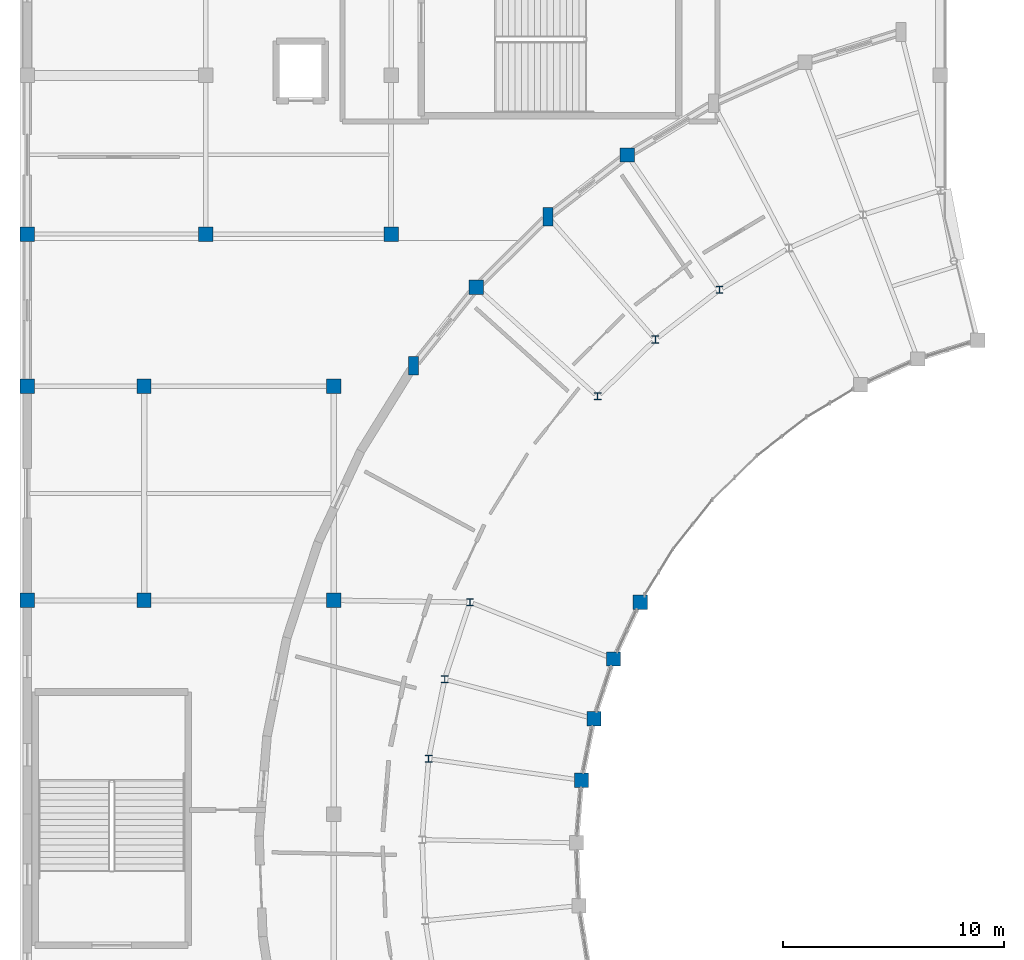
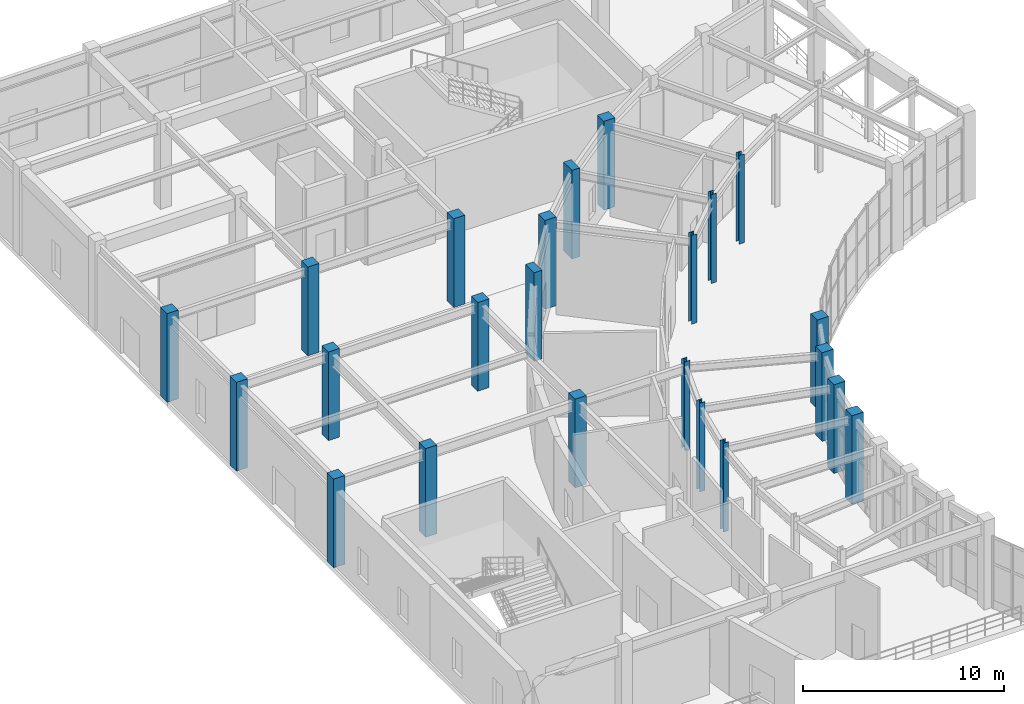
# One storey, part 9 of 93: 23 columns.
"""IFC4 building model written with IfcOpenShell, lengths in metres."""

from ifc_helpers import new_model, si_unit, direction, frame, origin, origin_2d, place, context, subcontext, project, spatial, rectangle, i_section, extrude, material, material_profile, profile_set, type_object, element, save


model = new_model("IFC4")

# Units and contexts
model_context = context("Model", 3, precision=1e-05, world=origin(), true_north=direction((0.0, 1.0)))
body_context = subcontext(model_context, "Body", "Model", "MODEL_VIEW")
ifc_project = project(units=[si_unit("LENGTHUNIT", "METRE"), si_unit("AREAUNIT", "SQUARE_METRE"), si_unit("VOLUMEUNIT", "CUBIC_METRE"), si_unit("PLANEANGLEUNIT", "RADIAN"), si_unit("MASSUNIT", "GRAM", prefix="KILO")], contexts=[model_context])

# Site, building, storey
site_placement = place(None, origin())
site = spatial("IfcSite", under=ifc_project, at=site_placement, CompositionType="ELEMENT")
building_placement = place(site_placement, origin())
building = spatial("IfcBuilding", under=site, at=building_placement, Name="Cinderbank Siding Concert Hall", CompositionType="ELEMENT")
storey_placement = place(building_placement, origin())
storey = spatial("IfcBuildingStorey", under=building, at=storey_placement, Name="L01", CompositionType="ELEMENT", Elevation=0.0)

# Columns
ifc_material_1 = material(Name="Reinforced concrete AS 3600 N50 (50 MPa)", Category="concrete")
ifc_material_profile_1 = material_profile(ifc_material_1, rectangle(XDim=0.64990234375, YDim=0.64990234375, at=origin_2d()), Name="RC-COL-650x650", Category="LoadBearing")
ifc_profile_set_1 = profile_set([ifc_material_profile_1], Name="Reinforced concrete AS 3600 N50 (50 MPa)")
column_type_1 = type_object("IfcColumnType", Name="C-RC650 RC-COL-650x650", PredefinedType="COLUMN", material=ifc_profile_set_1)
for number, where, z_axis, x_axis, name in (
    (1, (34.304931640625, 99.68408203125, 0.0), (0.0, 0.0, 1.0), (1.0, 0.0, 0.0), "L01 Column COL-WOUT-04"),
    (2, (27.462890625, 93.695068359375, 0.0), (0.0, 0.0, 1.0), (1.0, 0.0, 0.0), "L01 Column COL-WOUT-06"),
    (3, (34.887939453125, 79.4150390625, 0.0), (0.0, 0.0, 1.0), (1.0, 0.0, 0.0), "L01 Column COL-WIN-08"),
    (4, (33.68505859375, 76.8349609375, 0.0), (0.0, 0.0, 1.0), (1.0, 0.0, 0.0), "L01 Column COL-WIN-09"),
    (5, (32.7958984375, 74.131103515625, 0.0), (0.0, 0.0, 1.0), (1.0, 0.0, 0.0), "L01 Column COL-WIN-10"),
    (6, (32.23388671875, 71.340087890625, 0.0), (0.0, 0.0, 1.0), (1.0, 0.0, 0.0), "L01 Column COL-WIN-11"),
    (7, (7.10009765625, 96.10009765625, 0.0), (0.0, 0.0, 1.0), (1.0, 0.0, 0.0), "L01 Column COL-NW-1-1"),
    (8, (15.199951171875, 96.10009765625, 0.0), (0.0, 0.0, 1.0), (1.0, 0.0, 0.0), "L01 Column COL-NW-2-1"),
    (9, (23.60009765625, 96.10009765625, 0.0), (0.0, 0.0, 1.0), (1.0, 0.0, 0.0), "L01 Column COL-NW-3-1"),
    (10, (7.10009765625, 79.5, 0.0), (0.0, 0.0, 1.0), (1.0, 0.0, 0.0), "L01 Column COL-WL-1-5"),
    (11, (7.10009765625, 89.199951171875, 0.0), (0.0, 0.0, 1.0), (1.0, 0.0, 0.0), "L01 Column COL-WL-1-6"),
    (12, (12.39990234375, 79.5, 0.0), (0.0, 0.0, 1.0), (1.0, 0.0, 0.0), "L01 Column COL-WL-2-5"),
    (13, (12.39990234375, 89.199951171875, 0.0), (0.0, 0.0, 1.0), (1.0, 0.0, 0.0), "L01 Column COL-WL-2-6"),
    (14, (21.0, 79.5, 0.0), (0.0, 0.0, 1.0), (1.0, 0.0, 0.0), "L01 Column COL-WL-3-5"),
    (15, (21.0, 89.199951171875, 0.0), (0.0, 0.0, 1.0), (1.0, 0.0, 0.0), "L01 Column COL-WL-3-6"),
):
    element("IfcColumn", number, at=place(storey_placement, frame(where, z_axis=z_axis, x_axis=x_axis)), inside=storey, type_object=column_type_1, Name=name, PredefinedType="COLUMN", context=body_context, shape_type="SweptSolid", body=[
        extrude(rectangle(XDim=0.64990234375, YDim=0.64990234375, at=origin_2d()), origin(), (0.0, 0.0, 1.0), 5.39990234375),
    ])
ifc_material_2 = material(Name="Structural steel AS/NZS 3679.1 Grade 350 (340 MPa)", Category="steel")
ifc_material_profile_2 = material_profile(ifc_material_2, i_section(OverallWidth=0.306884765625, OverallDepth=0.314697265625, WebThickness=0.011962890625, FlangeThickness=0.018798828125, at=origin_2d()), Name="310UC118", Category="LoadBearing")
ifc_profile_set_2 = profile_set([ifc_material_profile_2], Name="Structural steel AS/NZS 3679.1 Grade 350 (340 MPa)")
column_type_2 = type_object("IfcColumnType", Name="C-UC310 310UC118", PredefinedType="COLUMN", material=ifc_profile_set_2)
for number, where, z_axis, x_axis, name in (
    (16, (38.486083984375, 93.5791015625, 0.0), (0.0, 0.0, 1.0), (1.0, 0.0, 0.0), "L01 Column COL-WMID-04"),
    (17, (32.9619140625, 88.742919921875, 0.0), (0.0, 0.0, 1.0), (1.0, 0.0, 0.0), "L01 Column COL-WMID-06"),
    (18, (26.029052734375, 75.9189453125, 0.0), (0.0, 0.0, 1.0), (1.0, 0.0, 0.0), "L01 Column COL-WMID-10"),
):
    element("IfcColumn", number, at=place(storey_placement, frame(where, z_axis=z_axis, x_axis=x_axis)), inside=storey, type_object=column_type_2, Name=name, PredefinedType="COLUMN", context=body_context, shape_type="SweptSolid", body=[
        extrude(i_section(OverallWidth=0.306884765625, OverallDepth=0.314697265625, WebThickness=0.011962890625, FlangeThickness=0.018798828125, at=origin_2d()), origin(), (0.0, 0.0, 1.0), 5.39990234375),
    ])
ifc_material_profile_3 = material_profile(ifc_material_2, i_section(OverallWidth=0.31103515625, OverallDepth=0.3271484375, WebThickness=0.015625, FlangeThickness=0.02490234375, at=origin_2d()), Name="310UC158", Category="LoadBearing")
ifc_profile_set_3 = profile_set([ifc_material_profile_3], Name="Structural steel AS/NZS 3679.1 Grade 350 (340 MPa)")
column_type_3 = type_object("IfcColumnType", Name="C-UC310H 310UC158", PredefinedType="COLUMN", material=ifc_profile_set_3)
for number, where, z_axis, x_axis, name in (
    (19, (35.5810546875, 91.324951171875, 0.0), (0.0, 0.0, 1.0), (1.0, 0.0, 0.0), "L01 Column COL-WMID-05"),
    (20, (27.177001953125, 79.412109375, 0.0), (0.0, 0.0, 1.0), (1.0, 0.0, 0.0), "L01 Column COL-WMID-09"),
    (21, (25.302001953125, 72.31396484375, 0.0), (0.0, 0.0, 1.0), (1.0, 0.0, 0.0), "L01 Column COL-WMID-11"),
):
    element("IfcColumn", number, at=place(storey_placement, frame(where, z_axis=z_axis, x_axis=x_axis)), inside=storey, type_object=column_type_3, Name=name, PredefinedType="COLUMN", context=body_context, shape_type="SweptSolid", body=[
        extrude(i_section(OverallWidth=0.31103515625, OverallDepth=0.3271484375, WebThickness=0.015625, FlangeThickness=0.02490234375, at=origin_2d()), origin(), (0.0, 0.0, 1.0), 5.39990234375),
    ])
ifc_material_profile_4 = material_profile(ifc_material_1, rectangle(XDim=0.449951171875, YDim=0.85009765625, at=origin_2d()), Name="RC-PIER-450x850", Category="LoadBearing")
ifc_profile_set_4 = profile_set([ifc_material_profile_4], Name="Reinforced concrete AS 3600 N50 (50 MPa)")
column_type_4 = type_object("IfcColumnType", Name="PL-RC850 RC-PIER-450x850", PredefinedType="PILASTER", material=ifc_profile_set_4)
for number, where, z_axis, x_axis, name in (
    (22, (30.7060546875, 96.89306640625, 0.0), (0.0, 0.0, 1.0), (1.0, 0.0, 0.0), "L01 Column COL-WOUT-05"),
    (23, (24.6220703125, 90.135009765625, 0.0), (0.0, 0.0, 1.0), (1.0, 0.0, 0.0), "L01 Column COL-WOUT-07"),
):
    element("IfcColumn", number, at=place(storey_placement, frame(where, z_axis=z_axis, x_axis=x_axis)), inside=storey, type_object=column_type_4, Name=name, PredefinedType="PILASTER", context=body_context, shape_type="SweptSolid", body=[
        extrude(rectangle(XDim=0.449951171875, YDim=0.85009765625, at=origin_2d()), origin(), (0.0, 0.0, 1.0), 5.39990234375),
    ])

save(model, "model.ifc")
